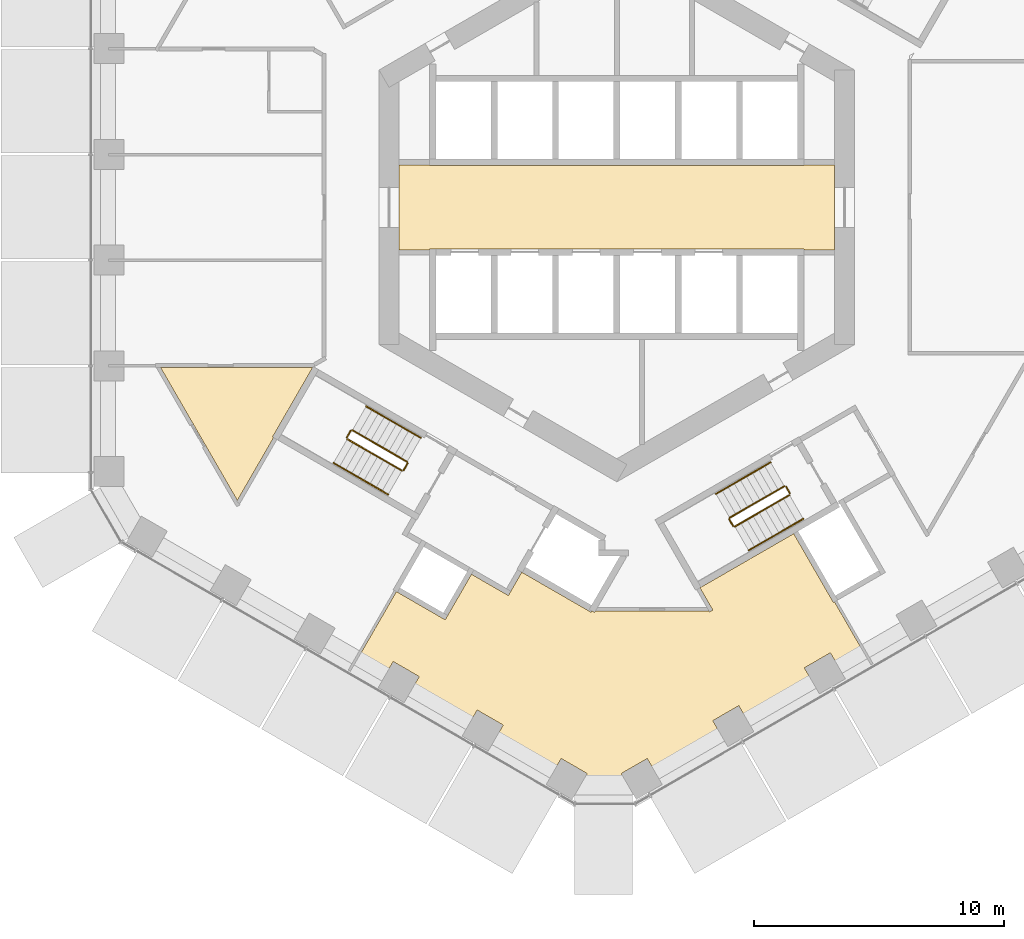
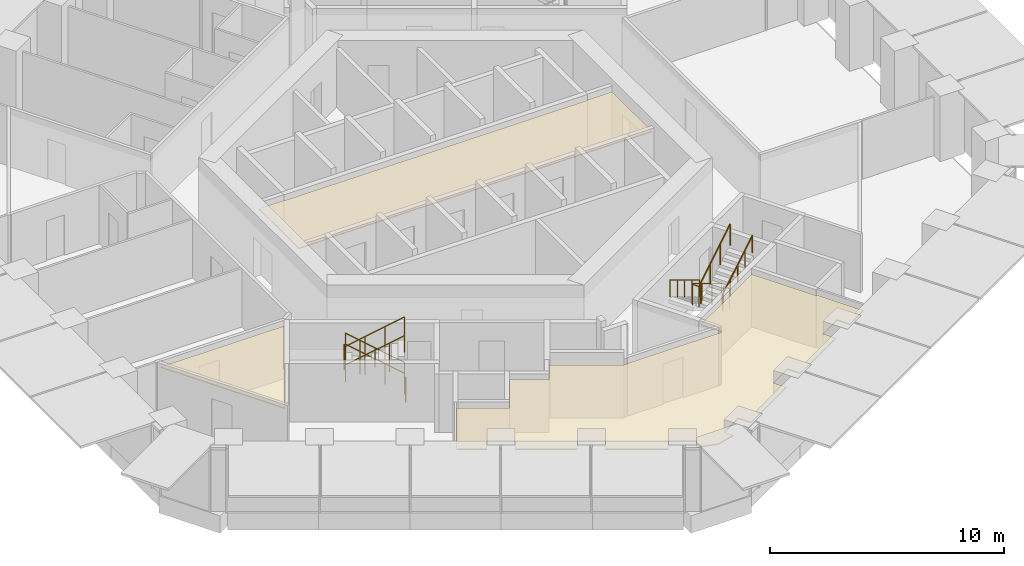
# One storey, part 17 of 19: 16 railings, 3 coverings.
"""IFC4 building model written with IfcOpenShell, lengths in metres."""

from ifc_helpers import new_model, si_unit, direction, frame, origin, origin_2d, place, context, subcontext, project, spatial, polyline, circle, outline, extrude, material, layer, layer_set, type_object, element, save


model = new_model("IFC4")

# Units and contexts
model_context = context("Model", 3, precision=1e-05, world=origin(), true_north=direction((0.0, 1.0)))
body_context = subcontext(model_context, "Body", "Model", "MODEL_VIEW")
ifc_project = project(units=[si_unit("LENGTHUNIT", "METRE"), si_unit("AREAUNIT", "SQUARE_METRE"), si_unit("VOLUMEUNIT", "CUBIC_METRE"), si_unit("PLANEANGLEUNIT", "RADIAN"), si_unit("MASSUNIT", "GRAM", prefix="KILO")], contexts=[model_context])

# Site, building, storey
site_placement = place(None, origin())
site = spatial("IfcSite", under=ifc_project, at=site_placement, CompositionType="ELEMENT")
building_placement = place(site_placement, origin())
building = spatial("IfcBuilding", under=site, at=building_placement, Name="Ayvan Gate Tower", CompositionType="ELEMENT")
storey_placement = place(building_placement, frame((0.0, 0.0, 52.699951171875)))
storey = spatial("IfcBuildingStorey", under=building, at=storey_placement, Name="L13", CompositionType="ELEMENT", Elevation=52.699951171875)

# Coverings
ifc_material_1 = material(Name="Plasterboard suspended ceiling")
ifc_layer = layer(ifc_material_1, 0.050048828125)
ifc_layer_set = layer_set([ifc_layer], Name="Plasterboard suspended ceiling")
covering_type = type_object("IfcCoveringType", Name="CT-SUSP-50", PredefinedType="CEILING", material=ifc_layer_set)
covering_1_placement = place(storey_placement, frame((0.0, 0.0, 2.699951171875)))
element("IfcCovering", 1, at=covering_1_placement, inside=storey, type_object=covering_type, Name="Ceiling Lift Lobby L13", PredefinedType="CEILING", context=body_context, shape_type="SweptSolid", body=[
    extrude(outline(polyline([(7.47509765625, -1.675048828125), (-7.47509765625, -1.675048828125), (-7.47509765625, -1.699951171875), (-8.699951171875, -1.699951171875), (-8.699951171875, 1.699951171875), (-7.47509765625, 1.699951171875), (-7.47509765625, 1.675048828125), (7.47509765625, 1.675048828125), (7.47509765625, 1.699951171875), (8.699951171875, 1.699951171875), (8.699951171875, -1.699951171875), (7.47509765625, -1.699951171875), (7.47509765625, -1.675048828125)])), origin(), (0.0, 0.0, 1.0), 0.050048828125),
])
covering_2_placement = place(storey_placement, frame((0.0, 0.0, 2.699951171875)))
element("IfcCovering", 2, at=covering_2_placement, inside=storey, type_object=covering_type, Name="Ceiling Ring Corridor L13", PredefinedType="CEILING", context=body_context, shape_type="SweptSolid", body=[
    extrude(outline(polyline([(-13.712890625, -9.201416015625), (-15.162109375, -11.7119140625), (-18.22900390625, -6.400146484375), (-12.1533203125, -6.400146484375), (-13.756103515625, -9.17626953125), (-13.712890625, -9.201416015625)])), origin(), (0.0, 0.0, 1.0), 0.050048828125),
])
covering_3_placement = place(storey_placement, frame((0.0, 0.0, 2.699951171875)))
element("IfcCovering", 3, at=covering_3_placement, inside=storey, type_object=covering_type, Name="Ceiling Social Lounge L13", PredefinedType="CEILING", context=body_context, shape_type="SweptSolid", body=[
    extrude(outline(polyline([(-6.858154296875, -16.478515625), (-6.76806640625, -16.32275390625), (-5.80810546875, -14.659912109375), (-4.3359375, -15.510009765625), (-4.245849609375, -15.35400390625), (-4.235595703125, -15.33642578125), (-3.798583984375, -14.5791015625), (-3.775390625, -14.59228515625), (-1.027099609375, -16.17919921875), (-0.996826171875, -16.126708984375), (-0.888671875, -16.189208984375), (-0.8583984375, -16.13671875), (3.65576171875, -16.13671875), (3.65576171875, -16.081787109375), (3.703125, -16.164306640625), (3.833251953125, -16.089111328125), (3.320556640625, -15.201416015625), (3.346435546875, -15.186279296875), (7.066162109375, -13.038818359375), (8.653564453125, -15.78857421875), (8.697021484375, -15.763427734375), (9.851806640625, -17.763916015625), (8.845703125, -18.3447265625), (8.53076171875, -17.79931640625), (7.49169921875, -18.3994140625), (7.806396484375, -18.944580078125), (5.998046875, -19.98876953125), (5.187744140625, -20.45654296875), (4.873046875, -19.911376953125), (3.833740234375, -20.51123046875), (4.148681640625, -21.056640625), (1.530029296875, -22.568359375), (1.215087890625, -22.023193359375), (0.17578125, -22.623046875), (0.408203125, -23.025146484375), (-0.474853515625, -23.26171875), (-1.408935546875, -23.011474609375), (-1.184814453125, -22.623046875), (-2.22412109375, -22.023193359375), (-2.524169921875, -22.542724609375), (-4.156982421875, -21.60009765625), (-4.840087890625, -21.20556640625), (-4.5400390625, -20.68603515625), (-5.5791015625, -20.0859375), (-5.879150390625, -20.605712890625), (-8.195068359375, -19.2685546875), (-7.89501953125, -18.748779296875), (-8.934326171875, -18.14892578125), (-9.234375, -18.66845703125), (-10.34912109375, -18.02490234375), (-8.806640625, -15.353515625), (-8.763427734375, -15.378662109375), (-6.858154296875, -16.478515625)])), origin(), (0.0, 0.0, 1.0), 0.050048828125),
])

# Railings
ifc_material_2 = material(Name="Stainless steel balustrade", Category="steel")
railing_type_1 = type_object("IfcRailingType", Name="RL-GUARD-1100", PredefinedType="GUARDRAIL", material=ifc_material_2)
railing_1_placement = place(storey_placement, frame((-8.381103515625, -10.16650390625, 0.170166015625)))
element("IfcRailing", 4, at=railing_1_placement, inside=storey, type_object=railing_type_1, Name="L13 STS2 stair guard 1", PredefinedType="GUARDRAIL", context=body_context, shape_type="SweptSolid", body=[
    extrude(circle(Radius=0.02392578125, at=origin_2d()), frame((0.0, 0.0, 1.076171875), z_axis=(-0.740292969978, 0.427413806696, 0.51892557891), x_axis=(-0.500004791531, -0.866022637375, 0.0)), (0.0, 0.0, 1.0), 2.947998046875),
    extrude(circle(Radius=0.02099609375, at=origin_2d()), origin(), (0.0, 0.0, 1.0), 1.052001953125),
    extrude(circle(Radius=0.02099609375, at=origin_2d()), frame((-0.7275390625, 0.419921875, 0.510009765625)), (0.0, 0.0, 1.0), 1.052001953125),
    extrude(circle(Radius=0.02099609375, at=origin_2d()), frame((-1.454833984375, 0.840087890625, 1.019775390625)), (0.0, 0.0, 1.0), 1.052001953125),
    extrude(circle(Radius=0.02099609375, at=origin_2d()), frame((-2.182373046875, 1.260009765625, 1.52978515625)), (0.0, 0.0, 1.0), 1.052001953125),
])
railing_2_placement = place(storey_placement, frame((-10.6318359375, -8.9248046875, 1.699951171875)))
element("IfcRailing", 5, at=railing_2_placement, inside=storey, type_object=railing_type_1, Name="L13 STS2 stair guard 2", PredefinedType="GUARDRAIL", context=body_context, shape_type="SweptSolid", body=[
    extrude(circle(Radius=0.02392578125, at=origin_2d()), frame((0.0, 0.0, 1.076171875), z_axis=(-0.499949632511, -0.866054481515, 0.0), x_axis=(0.866054481515, -0.499949632511, 0.0)), (0.0, 0.0, 1.0), 0.31005859375),
    extrude(circle(Radius=0.02099609375, at=origin_2d()), origin(), (0.0, 0.0, 1.0), 1.052001953125),
    extrude(circle(Radius=0.02099609375, at=origin_2d()), frame((-0.155029296875, -0.2685546875, 0.0)), (0.0, 0.0, 1.0), 1.052001953125),
])
railing_3_placement = place(storey_placement, frame((-10.7685546875, -9.261474609375, 1.8701171875)))
element("IfcRailing", 6, at=railing_3_placement, inside=storey, type_object=railing_type_1, Name="L13 STS2 stair guard 3", PredefinedType="GUARDRAIL", context=body_context, shape_type="SweptSolid", body=[
    extrude(circle(Radius=0.02392578125, at=origin_2d()), frame((0.0, 0.0, 1.076171875), z_axis=(0.740261155115, -0.427395438142, 0.518986090067), x_axis=(0.500004791531, 0.866022637375, 0.0)), (0.0, 0.0, 1.0), 2.947998046875),
    extrude(circle(Radius=0.02099609375, at=origin_2d()), origin(), (0.0, 0.0, 1.0), 1.052001953125),
    extrude(circle(Radius=0.02099609375, at=origin_2d()), frame((0.7275390625, -0.419921875, 0.510009765625)), (0.0, 0.0, 1.0), 1.052001953125),
    extrude(circle(Radius=0.02099609375, at=origin_2d()), frame((1.454833984375, -0.840087890625, 1.02001953125)), (0.0, 0.0, 1.0), 1.052001953125),
    extrude(circle(Radius=0.02099609375, at=origin_2d()), frame((2.182373046875, -1.260009765625, 1.530029296875)), (0.0, 0.0, 1.0), 1.052001953125),
])
railing_4_placement = place(storey_placement, frame((-8.36279296875, -10.23486328125, 0.0)))
element("IfcRailing", 7, at=railing_4_placement, inside=storey, type_object=railing_type_1, Name="L13 STS2 stair guard 4", PredefinedType="GUARDRAIL", context=body_context, shape_type="SweptSolid", body=[
    extrude(circle(Radius=0.02392578125, at=origin_2d()), frame((0.0, 0.0, 1.076171875), z_axis=(-0.500290723946, -0.86585748916, 0.0), x_axis=(0.86585748916, -0.500290723946, 0.0)), (0.0, 0.0, 1.0), 0.309814453125),
    extrude(circle(Radius=0.02099609375, at=origin_2d()), origin(), (0.0, 0.0, 1.0), 1.052001953125),
    extrude(circle(Radius=0.02099609375, at=origin_2d()), frame((-0.155029296875, -0.268310546875, 0.0)), (0.0, 0.0, 1.0), 1.052001953125),
])
railing_5_placement = place(storey_placement, frame((6.6923828125, -11.1416015625, 0.170166015625)))
element("IfcRailing", 8, at=railing_5_placement, inside=storey, type_object=railing_type_1, Name="L13 STS3 stair guard 1", PredefinedType="GUARDRAIL", context=body_context, shape_type="SweptSolid", body=[
    extrude(circle(Radius=0.02392578125, at=origin_2d()), frame((0.0, 0.0, 1.076171875), z_axis=(-0.740292969978, -0.427413806696, 0.51892557891), x_axis=(0.500004791531, -0.866022637375, 0.0)), (0.0, 0.0, 1.0), 2.947998046875),
    extrude(circle(Radius=0.02099609375, at=origin_2d()), origin(), (0.0, 0.0, 1.0), 1.052001953125),
    extrude(circle(Radius=0.02099609375, at=origin_2d()), frame((-0.7275390625, -0.419921875, 0.510009765625)), (0.0, 0.0, 1.0), 1.052001953125),
    extrude(circle(Radius=0.02099609375, at=origin_2d()), frame((-1.454833984375, -0.840087890625, 1.019775390625)), (0.0, 0.0, 1.0), 1.052001953125),
    extrude(circle(Radius=0.02099609375, at=origin_2d()), frame((-2.182373046875, -1.260009765625, 1.52978515625)), (0.0, 0.0, 1.0), 1.052001953125),
])
railing_6_placement = place(storey_placement, frame((4.49169921875, -12.4697265625, 1.699951171875)))
element("IfcRailing", 9, at=railing_6_placement, inside=storey, type_object=railing_type_1, Name="L13 STS3 stair guard 2", PredefinedType="GUARDRAIL", context=body_context, shape_type="SweptSolid", body=[
    extrude(circle(Radius=0.02392578125, at=origin_2d()), frame((0.0, 0.0, 1.076171875), z_axis=(0.499949632511, -0.866054481515, 0.0), x_axis=(0.866054481515, 0.499949632511, 0.0)), (0.0, 0.0, 1.0), 0.31005859375),
    extrude(circle(Radius=0.02099609375, at=origin_2d()), origin(), (0.0, 0.0, 1.0), 1.052001953125),
    extrude(circle(Radius=0.02099609375, at=origin_2d()), frame((0.155029296875, -0.2685546875, 0.0)), (0.0, 0.0, 1.0), 1.052001953125),
])
railing_7_placement = place(storey_placement, frame((4.715087890625, -12.756591796875, 1.8701171875)))
element("IfcRailing", 10, at=railing_7_placement, inside=storey, type_object=railing_type_1, Name="L13 STS3 stair guard 3", PredefinedType="GUARDRAIL", context=body_context, shape_type="SweptSolid", body=[
    extrude(circle(Radius=0.02392578125, at=origin_2d()), frame((0.0, 0.0, 1.076171875), z_axis=(0.740261155115, 0.427395438142, 0.518986090067), x_axis=(-0.500004791531, 0.866022637375, 0.0)), (0.0, 0.0, 1.0), 2.947998046875),
    extrude(circle(Radius=0.02099609375, at=origin_2d()), origin(), (0.0, 0.0, 1.0), 1.052001953125),
    extrude(circle(Radius=0.02099609375, at=origin_2d()), frame((0.7275390625, 0.419921875, 0.510009765625)), (0.0, 0.0, 1.0), 1.052001953125),
    extrude(circle(Radius=0.02099609375, at=origin_2d()), frame((1.454833984375, 0.840087890625, 1.02001953125)), (0.0, 0.0, 1.0), 1.052001953125),
    extrude(circle(Radius=0.02099609375, at=origin_2d()), frame((2.182373046875, 1.260009765625, 1.530029296875)), (0.0, 0.0, 1.0), 1.052001953125),
])
railing_8_placement = place(storey_placement, frame((6.7607421875, -11.159912109375, 0.0)))
element("IfcRailing", 11, at=railing_8_placement, inside=storey, type_object=railing_type_1, Name="L13 STS3 stair guard 4", PredefinedType="GUARDRAIL", context=body_context, shape_type="SweptSolid", body=[
    extrude(circle(Radius=0.02392578125, at=origin_2d()), frame((0.0, 0.0, 1.076171875), z_axis=(0.500290723946, -0.86585748916, 0.0), x_axis=(0.86585748916, 0.500290723946, 0.0)), (0.0, 0.0, 1.0), 0.309814453125),
    extrude(circle(Radius=0.02099609375, at=origin_2d()), origin(), (0.0, 0.0, 1.0), 1.052001953125),
    extrude(circle(Radius=0.02099609375, at=origin_2d()), frame((0.155029296875, -0.268310546875, 0.0)), (0.0, 0.0, 1.0), 1.052001953125),
])
railing_type_2 = type_object("IfcRailingType", Name="RL-HANDRAIL-900", PredefinedType="HANDRAIL", material=ifc_material_2)
railing_9_placement = place(storey_placement, frame((-7.8310546875, -9.2138671875, 0.170166015625)))
element("IfcRailing", 12, at=railing_9_placement, inside=storey, type_object=railing_type_2, Name="L13 STS2 stair handrail 1", PredefinedType="HANDRAIL", context=body_context, shape_type="SweptSolid", body=[
    extrude(circle(Radius=0.02392578125, at=origin_2d()), frame((0.0, 0.0, 0.8759765625), z_axis=(-0.740356597536, 0.427319915356, 0.518912129772), x_axis=(-0.499890179513, -0.866088799389, 0.0)), (0.0, 0.0, 1.0), 1.47412109375),
    extrude(circle(Radius=0.02099609375, at=origin_2d()), origin(), (0.0, 0.0, 1.0), 0.851806640625),
    extrude(circle(Radius=0.02099609375, at=origin_2d()), frame((-0.545654296875, 0.31494140625, 0.38232421875)), (0.0, 0.0, 1.0), 0.851806640625),
    extrude(circle(Radius=0.02099609375, at=origin_2d()), frame((-1.09130859375, 0.6298828125, 0.764892578125)), (0.0, 0.0, 1.0), 0.851806640625),
])
railing_10_placement = place(storey_placement, frame((-8.92236328125, -8.583984375, 0.93505859375)))
element("IfcRailing", 13, at=railing_10_placement, inside=storey, type_object=railing_type_2, Name="L13 STS2 stair handrail 2", PredefinedType="HANDRAIL", context=body_context, shape_type="SweptSolid", body=[
    extrude(circle(Radius=0.02392578125, at=origin_2d()), frame((0.0, 0.0, 0.8759765625), z_axis=(-0.740229329464, 0.427507697325, 0.518939021976), x_axis=(-0.50011940292, -0.865956455501, 0.0)), (0.0, 0.0, 1.0), 1.473876953125),
    extrude(circle(Radius=0.02099609375, at=origin_2d()), origin(), (0.0, 0.0, 1.0), 0.851806640625),
    extrude(circle(Radius=0.02099609375, at=origin_2d()), frame((-0.54541015625, 0.31494140625, 0.38232421875)), (0.0, 0.0, 1.0), 0.851806640625),
    extrude(circle(Radius=0.02099609375, at=origin_2d()), frame((-1.091064453125, 0.630126953125, 0.764892578125)), (0.0, 0.0, 1.0), 0.851806640625),
])
railing_11_placement = place(storey_placement, frame((-11.318603515625, -10.214111328125, 1.8701171875)))
element("IfcRailing", 14, at=railing_11_placement, inside=storey, type_object=railing_type_2, Name="L13 STS2 stair handrail 3", PredefinedType="HANDRAIL", context=body_context, shape_type="SweptSolid", body=[
    extrude(circle(Radius=0.02392578125, at=origin_2d()), frame((0.0, 0.0, 0.8759765625), z_axis=(0.740304193401, -0.427455284825, 0.518875399983), x_axis=(0.500035496587, 0.86600490885, 0.0)), (0.0, 0.0, 1.0), 1.47412109375),
    extrude(circle(Radius=0.02099609375, at=origin_2d()), origin(), (0.0, 0.0, 1.0), 0.851806640625),
    extrude(circle(Radius=0.02099609375, at=origin_2d()), frame((0.545654296875, -0.31494140625, 0.38232421875)), (0.0, 0.0, 1.0), 0.851806640625),
    extrude(circle(Radius=0.02099609375, at=origin_2d()), frame((1.09130859375, -0.630126953125, 0.764892578125)), (0.0, 0.0, 1.0), 0.851806640625),
])
railing_12_placement = place(storey_placement, frame((-10.227294921875, -10.84423828125, 2.635009765625)))
element("IfcRailing", 15, at=railing_12_placement, inside=storey, type_object=railing_type_2, Name="L13 STS2 stair handrail 4", PredefinedType="HANDRAIL", context=body_context, shape_type="SweptSolid", body=[
    extrude(circle(Radius=0.02392578125, at=origin_2d()), frame((0.0, 0.0, 0.8759765625), z_axis=(0.740292964666, -0.42728318766, 0.519033143459), x_axis=(0.499890179513, 0.866088799389, 0.0)), (0.0, 0.0, 1.0), 1.47412109375),
    extrude(circle(Radius=0.02099609375, at=origin_2d()), origin(), (0.0, 0.0, 1.0), 0.851806640625),
    extrude(circle(Radius=0.02099609375, at=origin_2d()), frame((0.545654296875, -0.31494140625, 0.382568359375)), (0.0, 0.0, 1.0), 0.851806640625),
    extrude(circle(Radius=0.02099609375, at=origin_2d()), frame((1.09130859375, -0.6298828125, 0.76513671875)), (0.0, 0.0, 1.0), 0.851806640625),
])
railing_13_placement = place(storey_placement, frame((6.142333984375, -10.18896484375, 0.170166015625)))
element("IfcRailing", 16, at=railing_13_placement, inside=storey, type_object=railing_type_2, Name="L13 STS3 stair handrail 1", PredefinedType="HANDRAIL", context=body_context, shape_type="SweptSolid", body=[
    extrude(circle(Radius=0.02392578125, at=origin_2d()), frame((0.0, 0.0, 0.8759765625), z_axis=(-0.740281741151, -0.427372318678, 0.518975765278), x_axis=(0.499974077718, -0.866040369504, 0.0)), (0.0, 0.0, 1.0), 1.473876953125),
    extrude(circle(Radius=0.02099609375, at=origin_2d()), origin(), (0.0, 0.0, 1.0), 0.851806640625),
    extrude(circle(Radius=0.02099609375, at=origin_2d()), frame((-0.54541015625, -0.31494140625, 0.38232421875)), (0.0, 0.0, 1.0), 0.851806640625),
    extrude(circle(Radius=0.02099609375, at=origin_2d()), frame((-1.091064453125, -0.6298828125, 0.764892578125)), (0.0, 0.0, 1.0), 0.851806640625),
])
railing_14_placement = place(storey_placement, frame((5.05126953125, -10.81884765625, 0.93505859375)))
element("IfcRailing", 17, at=railing_14_placement, inside=storey, type_object=railing_type_2, Name="L13 STS3 stair handrail 2", PredefinedType="HANDRAIL", context=body_context, shape_type="SweptSolid", body=[
    extrude(circle(Radius=0.02392578125, at=origin_2d()), frame((0.0, 0.0, 0.8759765625), z_axis=(-0.740304193401, -0.427455284825, 0.518875399983), x_axis=(0.500035496587, -0.86600490885, 0.0)), (0.0, 0.0, 1.0), 1.47412109375),
    extrude(circle(Radius=0.02099609375, at=origin_2d()), origin(), (0.0, 0.0, 1.0), 0.851806640625),
    extrude(circle(Radius=0.02099609375, at=origin_2d()), frame((-0.545654296875, -0.31494140625, 0.38232421875)), (0.0, 0.0, 1.0), 0.851806640625),
    extrude(circle(Radius=0.02099609375, at=origin_2d()), frame((-1.09130859375, -0.630126953125, 0.764892578125)), (0.0, 0.0, 1.0), 0.851806640625),
])
railing_15_placement = place(storey_placement, frame((5.264892578125, -13.709228515625, 1.8701171875)))
element("IfcRailing", 18, at=railing_15_placement, inside=storey, type_object=railing_type_2, Name="L13 STS3 stair handrail 3", PredefinedType="HANDRAIL", context=body_context, shape_type="SweptSolid", body=[
    extrude(circle(Radius=0.02392578125, at=origin_2d()), frame((0.0, 0.0, 0.8759765625), z_axis=(0.740304193401, 0.427455284825, 0.518875399983), x_axis=(-0.500035496587, 0.86600490885, 0.0)), (0.0, 0.0, 1.0), 1.47412109375),
    extrude(circle(Radius=0.02099609375, at=origin_2d()), origin(), (0.0, 0.0, 1.0), 0.851806640625),
    extrude(circle(Radius=0.02099609375, at=origin_2d()), frame((0.545654296875, 0.31494140625, 0.38232421875)), (0.0, 0.0, 1.0), 0.851806640625),
    extrude(circle(Radius=0.02099609375, at=origin_2d()), frame((1.09130859375, 0.630126953125, 0.764892578125)), (0.0, 0.0, 1.0), 0.851806640625),
])
railing_16_placement = place(storey_placement, frame((6.356201171875, -13.0791015625, 2.635009765625)))
element("IfcRailing", 19, at=railing_16_placement, inside=storey, type_object=railing_type_2, Name="L13 STS3 stair handrail 4", PredefinedType="HANDRAIL", context=body_context, shape_type="SweptSolid", body=[
    extrude(circle(Radius=0.02392578125, at=origin_2d()), frame((0.0, 0.0, 0.8759765625), z_axis=(0.740218099111, 0.427335577468, 0.519096782863), x_axis=(-0.499974077718, 0.866040369504, 0.0)), (0.0, 0.0, 1.0), 1.473876953125),
    extrude(circle(Radius=0.02099609375, at=origin_2d()), origin(), (0.0, 0.0, 1.0), 0.851806640625),
    extrude(circle(Radius=0.02099609375, at=origin_2d()), frame((0.54541015625, 0.31494140625, 0.382568359375)), (0.0, 0.0, 1.0), 0.851806640625),
    extrude(circle(Radius=0.02099609375, at=origin_2d()), frame((1.091064453125, 0.6298828125, 0.76513671875)), (0.0, 0.0, 1.0), 0.851806640625),
])

save(model, "model.ifc")
